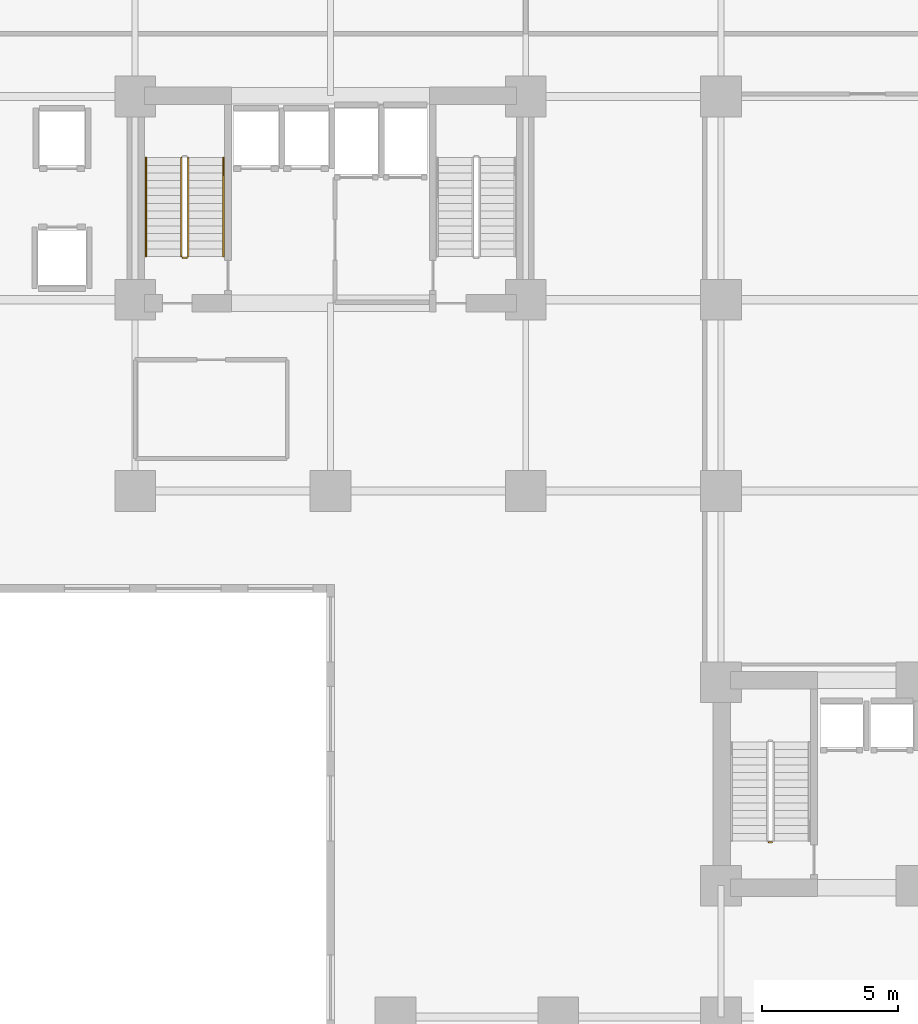
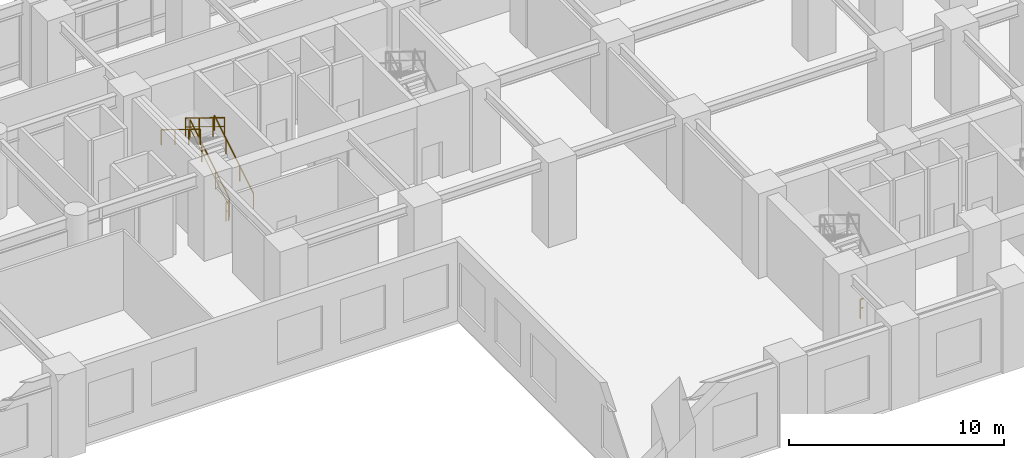
# One storey, part 20 of 22: 6 railings.
"""IFC4 building model written with IfcOpenShell, lengths in metres."""

from ifc_helpers import new_model, si_unit, direction, frame, origin, origin_2d, place, context, subcontext, project, spatial, rectangle, extrude, material, type_object, element, save


model = new_model("IFC4")

# Units and contexts
model_context = context("Model", 3, precision=1e-05, world=origin(), true_north=direction((0.0, 1.0)))
body_context = subcontext(model_context, "Body", "Model", "MODEL_VIEW")
ifc_project = project(units=[si_unit("LENGTHUNIT", "METRE"), si_unit("AREAUNIT", "SQUARE_METRE"), si_unit("VOLUMEUNIT", "CUBIC_METRE"), si_unit("PLANEANGLEUNIT", "RADIAN"), si_unit("MASSUNIT", "GRAM", prefix="KILO")], contexts=[model_context])

# Site, building, storey
site_placement = place(None, origin())
site = spatial("IfcSite", under=ifc_project, at=site_placement, CompositionType="ELEMENT")
building_placement = place(site_placement, origin())
building = spatial("IfcBuilding", under=site, at=building_placement, Name="Kaliganga Portal Commons", CompositionType="ELEMENT")
storey_placement = place(building_placement, frame((0.0, 0.0, 10.199951171875)))
storey = spatial("IfcBuildingStorey", under=building, at=storey_placement, Name="L02", CompositionType="ELEMENT", Elevation=10.199951171875)

# Railings
ifc_material_1 = material(Name="Galvanized Painted Steel Balustrade", Category="steel")
railing_type_1 = type_object("IfcRailingType", Name="RLG-STAIR-GRD", PredefinedType="GUARDRAIL", material=ifc_material_1)
railing_1_placement = place(storey_placement, frame((16.35009765625, 30.25, 0.17138671875)))
element("IfcRailing", 1, at=railing_1_placement, inside=storey, type_object=railing_type_1, Name="L02 ST-A1 stair guard 1", PredefinedType="GUARDRAIL", context=body_context, shape_type="SweptSolid", body=[
    extrude(rectangle(XDim=0.048095703125, YDim=0.048095703125, at=origin_2d()), frame((0.0, 0.0, 1.072021484375), z_axis=(0.0, 0.852824790078, 0.522197163366), x_axis=(-1.0, 0.0, 0.0)), (0.0, 0.0, 1.0), 4.26806640625),
    extrude(rectangle(XDim=0.028076171875, YDim=0.028076171875, at=origin_2d()), frame((0.0, 0.0, 0.572021484375), z_axis=(0.0, 0.852824790078, 0.522197163366), x_axis=(-1.0, 0.0, 0.0)), (0.0, 0.0, 1.0), 4.26806640625),
    extrude(rectangle(XDim=0.0419921875, YDim=0.0419921875, at=origin_2d()), origin(), (0.0, 0.0, 1.0), 1.052001953125),
    extrude(rectangle(XDim=0.0419921875, YDim=0.0419921875, at=origin_2d()), frame((0.0, 1.279296875, 0.783203125)), (0.0, 0.0, 1.0), 1.052001953125),
    extrude(rectangle(XDim=0.0419921875, YDim=0.0419921875, at=origin_2d()), frame((0.0, 2.55859375, 1.566650390625)), (0.0, 0.0, 1.0), 1.052001953125),
    extrude(rectangle(XDim=0.0419921875, YDim=0.0419921875, at=origin_2d()), frame((0.0, 3.639892578125, 2.228759765625)), (0.0, 0.0, 1.0), 1.052001953125),
])
railing_2_placement = place(storey_placement, frame((16.10009765625, 33.889892578125, 2.571533203125)))
element("IfcRailing", 2, at=railing_2_placement, inside=storey, type_object=railing_type_1, Name="L02 ST-A1 stair guard 3", PredefinedType="GUARDRAIL", context=body_context, shape_type="SweptSolid", body=[
    extrude(rectangle(XDim=0.048095703125, YDim=0.048095703125, at=origin_2d()), frame((0.0, 0.0, 1.072021484375), z_axis=(0.0, -0.852850264322, 0.5221555579), x_axis=(1.0, 0.0, 0.0)), (0.0, 0.0, 1.0), 4.267822265625),
    extrude(rectangle(XDim=0.028076171875, YDim=0.028076171875, at=origin_2d()), frame((0.0, 0.0, 0.572021484375), z_axis=(0.0, -0.852850264322, 0.5221555579), x_axis=(1.0, 0.0, 0.0)), (0.0, 0.0, 1.0), 4.267822265625),
    extrude(rectangle(XDim=0.0419921875, YDim=0.0419921875, at=origin_2d()), origin(), (0.0, 0.0, 1.0), 1.052001953125),
    extrude(rectangle(XDim=0.0419921875, YDim=0.0419921875, at=origin_2d()), frame((0.0, -1.279296875, 0.783203125)), (0.0, 0.0, 1.0), 1.052001953125),
    extrude(rectangle(XDim=0.0419921875, YDim=0.0419921875, at=origin_2d()), frame((0.0, -2.55859375, 1.56640625)), (0.0, 0.0, 1.0), 1.052001953125),
    extrude(rectangle(XDim=0.0419921875, YDim=0.0419921875, at=origin_2d()), frame((0.0, -3.639892578125, 2.228515625)), (0.0, 0.0, 1.0), 1.052001953125),
])
railing_3_placement = place(storey_placement, frame((16.300048828125, 30.199951171875, 0.0)))
element("IfcRailing", 3, at=railing_3_placement, inside=storey, type_object=railing_type_1, Name="L02 ST-A1 stair guard 4", PredefinedType="GUARDRAIL", context=body_context, shape_type="SweptSolid", body=[
    extrude(rectangle(XDim=0.048095703125, YDim=0.048095703125, at=origin_2d()), frame((0.0, 0.0, 1.076171875), z_axis=(-1.0, 0.0, 0.0), x_axis=(0.0, -1.0, 0.0)), (0.0, 0.0, 1.0), 0.150146484375),
    extrude(rectangle(XDim=0.028076171875, YDim=0.028076171875, at=origin_2d()), frame((0.0, 0.0, 0.572021484375), z_axis=(-1.0, 0.0, 0.0), x_axis=(0.0, -1.0, 0.0)), (0.0, 0.0, 1.0), 0.150146484375),
    extrude(rectangle(XDim=0.0419921875, YDim=0.0419921875, at=origin_2d()), origin(), (0.0, 0.0, 1.0), 1.052001953125),
    extrude(rectangle(XDim=0.0419921875, YDim=0.0419921875, at=origin_2d()), frame((-0.150146484375, 0.0, 0.0)), (0.0, 0.0, 1.0), 1.052001953125),
])
railing_4_placement = place(storey_placement, frame((37.89990234375, 8.64990234375, 0.0)))
element("IfcRailing", 4, at=railing_4_placement, inside=storey, type_object=railing_type_1, Name="L02 ST-B1 stair guard 4", PredefinedType="GUARDRAIL", context=body_context, shape_type="SweptSolid", body=[
    extrude(rectangle(XDim=0.048095703125, YDim=0.048095703125, at=origin_2d()), frame((0.0, 0.0, 1.076171875), z_axis=(-1.0, 0.0, 0.0), x_axis=(0.0, -1.0, 0.0)), (0.0, 0.0, 1.0), 0.14990234375),
    extrude(rectangle(XDim=0.028076171875, YDim=0.028076171875, at=origin_2d()), frame((0.0, 0.0, 0.572021484375), z_axis=(-1.0, 0.0, 0.0), x_axis=(0.0, -1.0, 0.0)), (0.0, 0.0, 1.0), 0.14990234375),
    extrude(rectangle(XDim=0.0419921875, YDim=0.0419921875, at=origin_2d()), frame((-0.14990234375, 0.0, 0.0)), (0.0, 0.0, 1.0), 1.052001953125),
])
ifc_material_2 = material(Name="Brushed Stainless Steel 316", Category="steel")
railing_type_2 = type_object("IfcRailingType", Name="RLG-STAIR-HR", PredefinedType="HANDRAIL", material=ifc_material_2)
railing_5_placement = place(storey_placement, frame((17.64990234375, 30.25, 0.17138671875)))
element("IfcRailing", 5, at=railing_5_placement, inside=storey, type_object=railing_type_2, Name="L02 ST-A1 stair handrail 1", PredefinedType="HANDRAIL", context=body_context, shape_type="SweptSolid", body=[
    extrude(rectangle(XDim=0.048095703125, YDim=0.048095703125, at=origin_2d()), frame((0.0, 0.0, 0.871826171875), z_axis=(0.0, 0.852824790078, 0.522197163366), x_axis=(-1.0, 0.0, 0.0)), (0.0, 0.0, 1.0), 4.26806640625),
    extrude(rectangle(XDim=0.0419921875, YDim=0.0419921875, at=origin_2d()), origin(), (0.0, 0.0, 1.0), 0.851806640625),
    extrude(rectangle(XDim=0.0419921875, YDim=0.0419921875, at=origin_2d()), frame((0.0, 1.279296875, 0.783203125)), (0.0, 0.0, 1.0), 0.851806640625),
    extrude(rectangle(XDim=0.0419921875, YDim=0.0419921875, at=origin_2d()), frame((0.0, 2.55859375, 1.566650390625)), (0.0, 0.0, 1.0), 0.851806640625),
    extrude(rectangle(XDim=0.0419921875, YDim=0.0419921875, at=origin_2d()), frame((0.0, 3.639892578125, 2.228759765625)), (0.0, 0.0, 1.0), 0.851806640625),
])
railing_6_placement = place(storey_placement, frame((14.800048828125, 33.889892578125, 2.571533203125)))
element("IfcRailing", 6, at=railing_6_placement, inside=storey, type_object=railing_type_2, Name="L02 ST-A1 stair handrail 2", PredefinedType="HANDRAIL", context=body_context, shape_type="SweptSolid", body=[
    extrude(rectangle(XDim=0.048095703125, YDim=0.048095703125, at=origin_2d()), frame((0.0, 0.0, 0.871826171875), z_axis=(0.0, -0.852850264322, 0.5221555579), x_axis=(1.0, 0.0, 0.0)), (0.0, 0.0, 1.0), 4.267822265625),
    extrude(rectangle(XDim=0.0419921875, YDim=0.0419921875, at=origin_2d()), origin(), (0.0, 0.0, 1.0), 0.851806640625),
    extrude(rectangle(XDim=0.0419921875, YDim=0.0419921875, at=origin_2d()), frame((0.0, -1.279296875, 0.783203125)), (0.0, 0.0, 1.0), 0.851806640625),
    extrude(rectangle(XDim=0.0419921875, YDim=0.0419921875, at=origin_2d()), frame((0.0, -2.55859375, 1.56640625)), (0.0, 0.0, 1.0), 0.851806640625),
    extrude(rectangle(XDim=0.0419921875, YDim=0.0419921875, at=origin_2d()), frame((0.0, -3.639892578125, 2.228515625)), (0.0, 0.0, 1.0), 0.851806640625),
])

save(model, "model.ifc")
